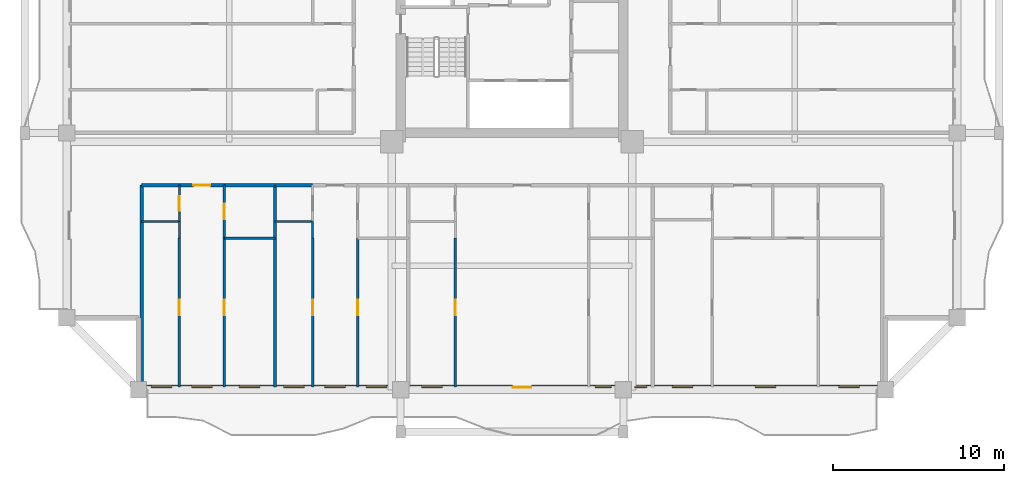
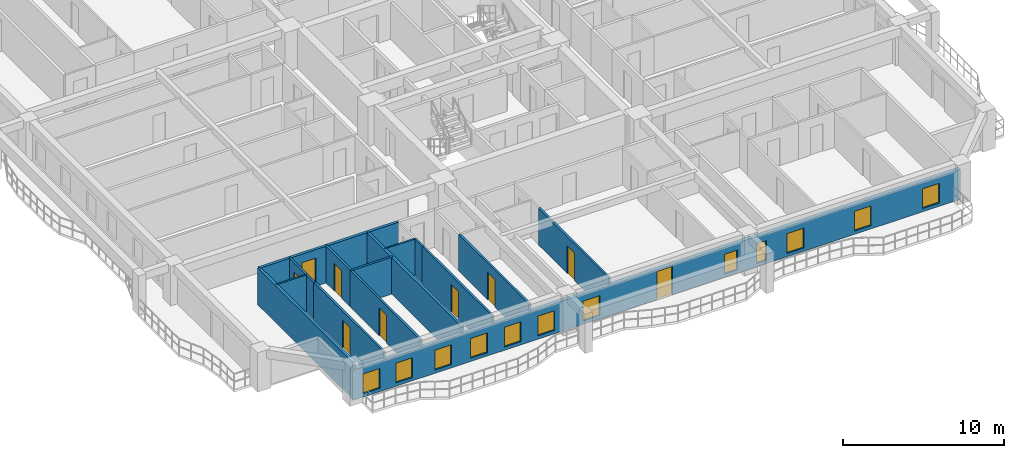
# One storey, part 2 of 13: 19 walls, 12 windows, 9 doors, 21 openings.
"""IFC4 building model written with IfcOpenShell, lengths in metres."""

from ifc_helpers import new_model, si_unit, direction, frame, frame_2d, origin, place, context, subcontext, project, spatial, rectangle, extrude, source, transform, mapped, material, layer, layer_set, type_object, element, fill, save


model = new_model("IFC4")

# Units and contexts
model_context = context("Model", 3, precision=1e-05, world=origin(), true_north=direction((0.0, 1.0)))
body_context = subcontext(model_context, "Body", "Model", "MODEL_VIEW")
ifc_project = project(units=[si_unit("LENGTHUNIT", "METRE"), si_unit("AREAUNIT", "SQUARE_METRE"), si_unit("VOLUMEUNIT", "CUBIC_METRE"), si_unit("PLANEANGLEUNIT", "RADIAN"), si_unit("MASSUNIT", "GRAM", prefix="KILO")], contexts=[model_context])

# Site, building, storey
site_placement = place(None, origin())
site = spatial("IfcSite", under=ifc_project, at=site_placement, CompositionType="ELEMENT")
building_placement = place(site_placement, origin())
building = spatial("IfcBuilding", under=site, at=building_placement, Name="Saelheon Loggia Tower", CompositionType="ELEMENT")
storey_placement = place(building_placement, frame((0.0, 0.0, 83.85009765625)))
storey = spatial("IfcBuildingStorey", under=building, at=storey_placement, Name="L26", CompositionType="ELEMENT", Elevation=83.85009765625)

# Wall, openings, windows, door
ifc_material_1 = material(Name="Architectural Precast Concrete C40/50", Category="concrete")
ifc_layer_1 = layer(ifc_material_1, 0.280029296875)
ifc_layer_set_1 = layer_set([ifc_layer_1], Name="Architectural Precast Concrete C40/50")
wall_type_1 = type_object("IfcWallType", Name="Wall_Ext_Loggia_280", PredefinedType="SOLIDWALL", material=ifc_layer_set_1)
wall_1_placement = place(storey_placement, frame((16.199951171875, 3.139892578125, 0.0), z_axis=(0.0, 0.0, 1.0), x_axis=(1.0, 0.0, 0.0)))
wall_1 = element("IfcWall", 1, at=wall_1_placement, inside=storey, type_object=wall_type_1, Name="L26 South Loggia Inner Wall", PredefinedType="SOLIDWALL", context=body_context, shape_type="SweptSolid", body=[
    extrude(rectangle(XDim=43.60009765625, YDim=0.280029296875, at=frame_2d((21.800048828125, 0.0))), origin(), (0.0, 0.0, 1.0), 2.27978515625),
])
opening_1_placement = place(wall_1_placement, frame((0.74755859375, 0.0, 0.25)))
opening_1 = element("IfcOpeningElement", 2, at=opening_1_placement, cuts=wall_1, Name="Opening WN-03", PredefinedType="OPENING", context=body_context, shape_type="SweptSolid", body=[
    extrude(rectangle(XDim=1.199951171875, YDim=1.5, at=frame_2d((0.60009765625, 0.75))), frame((0.0, 0.152099609375, 0.0), z_axis=(0.0, -1.0, 0.0), x_axis=(1.0, 0.0, 0.0)), (0.0, 0.0, 1.0), 0.303955078125),
])
opening_2_placement = place(wall_1_placement, frame((3.0927734375, 0.0, 0.25)))
opening_2 = element("IfcOpeningElement", 3, at=opening_2_placement, cuts=wall_1, Name="Opening WN-03", PredefinedType="OPENING", context=body_context, shape_type="SweptSolid", body=[
    extrude(rectangle(XDim=1.199951171875, YDim=1.5, at=frame_2d((0.60009765625, 0.75))), frame((0.0, 0.152099609375, 0.0), z_axis=(0.0, -1.0, 0.0), x_axis=(1.0, 0.0, 0.0)), (0.0, 0.0, 1.0), 0.303955078125),
])
opening_3_placement = place(wall_1_placement, frame((5.884521484375, 0.0, 0.25)))
opening_3 = element("IfcOpeningElement", 4, at=opening_3_placement, cuts=wall_1, Name="Opening WN-03", PredefinedType="OPENING", context=body_context, shape_type="SweptSolid", body=[
    extrude(rectangle(XDim=1.199951171875, YDim=1.5, at=frame_2d((0.60009765625, 0.75))), frame((0.0, 0.152099609375, 0.0), z_axis=(0.0, -1.0, 0.0), x_axis=(1.0, 0.0, 0.0)), (0.0, 0.0, 1.0), 0.303955078125),
])
opening_4_placement = place(wall_1_placement, frame((8.463134765625, 0.0, 0.25)))
opening_4 = element("IfcOpeningElement", 5, at=opening_4_placement, cuts=wall_1, Name="Opening WN-03", PredefinedType="OPENING", context=body_context, shape_type="SweptSolid", body=[
    extrude(rectangle(XDim=1.199951171875, YDim=1.5, at=frame_2d((0.60009765625, 0.75))), frame((0.0, 0.152099609375, 0.0), z_axis=(0.0, -1.0, 0.0), x_axis=(1.0, 0.0, 0.0)), (0.0, 0.0, 1.0), 0.303955078125),
])
opening_5_placement = place(wall_1_placement, frame((10.8759765625, 0.0, 0.25)))
opening_5 = element("IfcOpeningElement", 6, at=opening_5_placement, cuts=wall_1, Name="Opening WN-03", PredefinedType="OPENING", context=body_context, shape_type="SweptSolid", body=[
    extrude(rectangle(XDim=1.199951171875, YDim=1.5, at=frame_2d((0.60009765625, 0.75))), frame((0.0, 0.152099609375, 0.0), z_axis=(0.0, -1.0, 0.0), x_axis=(1.0, 0.0, 0.0)), (0.0, 0.0, 1.0), 0.303955078125),
])
opening_6_placement = place(wall_1_placement, frame((13.286865234375, 0.0, 0.25)))
opening_6 = element("IfcOpeningElement", 7, at=opening_6_placement, cuts=wall_1, Name="Opening WN-03", PredefinedType="OPENING", context=body_context, shape_type="SweptSolid", body=[
    extrude(rectangle(XDim=1.199951171875, YDim=1.5, at=frame_2d((0.60009765625, 0.75))), frame((0.0, 0.152099609375, 0.0), z_axis=(0.0, -1.0, 0.0), x_axis=(1.0, 0.0, 0.0)), (0.0, 0.0, 1.0), 0.303955078125),
])
opening_7_placement = place(wall_1_placement, frame((16.521484375, 0.0, 0.25)))
opening_7 = element("IfcOpeningElement", 8, at=opening_7_placement, cuts=wall_1, Name="Opening WN-03", PredefinedType="OPENING", context=body_context, shape_type="SweptSolid", body=[
    extrude(rectangle(XDim=1.199951171875, YDim=1.5, at=frame_2d((0.60009765625, 0.75))), frame((0.0, 0.152099609375, 0.0), z_axis=(0.0, -1.0, 0.0), x_axis=(1.0, 0.0, 0.0)), (0.0, 0.0, 1.0), 0.303955078125),
])
opening_8_placement = place(wall_1_placement, frame((22.938232421875, 0.0, 0.0), z_axis=(0.0, 0.0, 1.0), x_axis=(-1.0, 0.0, 0.0)))
opening_8 = element("IfcOpeningElement", 9, at=opening_8_placement, cuts=wall_1, Name="Opening TD1", PredefinedType="OPENING", context=body_context, shape_type="SweptSolid", body=[
    extrude(rectangle(XDim=1.10009765625, YDim=2.14990234375, at=frame_2d((0.550048828125, 1.074951171875))), frame((0.0, 0.152099609375, 0.0), z_axis=(0.0, -1.0, 0.0), x_axis=(1.0, 0.0, 0.0)), (0.0, 0.0, 1.0), 0.303955078125),
])
opening_9_placement = place(wall_1_placement, frame((26.657470703125, 0.0, 0.25)))
opening_9 = element("IfcOpeningElement", 10, at=opening_9_placement, cuts=wall_1, Name="Opening WN-04", PredefinedType="OPENING", context=body_context, shape_type="SweptSolid", body=[
    extrude(rectangle(XDim=0.949951171875, YDim=1.5, at=frame_2d((0.47509765625, 0.75))), frame((0.0, 0.152099609375, 0.0), z_axis=(0.0, -1.0, 0.0), x_axis=(1.0, 0.0, 0.0)), (0.0, 0.0, 1.0), 0.303955078125),
])
opening_10_placement = place(wall_1_placement, frame((28.96533203125, 0.0, 0.25)))
opening_10 = element("IfcOpeningElement", 11, at=opening_10_placement, cuts=wall_1, Name="Opening WN-06", PredefinedType="OPENING", context=body_context, shape_type="SweptSolid", body=[
    extrude(rectangle(XDim=0.699951171875, YDim=1.5, at=frame_2d((0.35009765625, 0.75))), frame((0.0, 0.152099609375, 0.0), z_axis=(0.0, -1.0, 0.0), x_axis=(1.0, 0.0, 0.0)), (0.0, 0.0, 1.0), 0.303955078125),
])
opening_11_placement = place(wall_1_placement, frame((31.158203125, 0.0, 0.25)))
opening_11 = element("IfcOpeningElement", 12, at=opening_11_placement, cuts=wall_1, Name="Opening WN-03", PredefinedType="OPENING", context=body_context, shape_type="SweptSolid", body=[
    extrude(rectangle(XDim=1.199951171875, YDim=1.5, at=frame_2d((0.60009765625, 0.75))), frame((0.0, 0.152099609375, 0.0), z_axis=(0.0, -1.0, 0.0), x_axis=(1.0, 0.0, 0.0)), (0.0, 0.0, 1.0), 0.303955078125),
])
opening_12_placement = place(wall_1_placement, frame((35.992431640625, 0.0, 0.25)))
opening_12 = element("IfcOpeningElement", 13, at=opening_12_placement, cuts=wall_1, Name="Opening WN-03", PredefinedType="OPENING", context=body_context, shape_type="SweptSolid", body=[
    extrude(rectangle(XDim=1.199951171875, YDim=1.5, at=frame_2d((0.60009765625, 0.75))), frame((0.0, 0.152099609375, 0.0), z_axis=(0.0, -1.0, 0.0), x_axis=(1.0, 0.0, 0.0)), (0.0, 0.0, 1.0), 0.303955078125),
])
opening_13_placement = place(wall_1_placement, frame((40.884765625, 0.0, 0.25)))
opening_13 = element("IfcOpeningElement", 14, at=opening_13_placement, cuts=wall_1, Name="Opening WN-03", PredefinedType="OPENING", context=body_context, shape_type="SweptSolid", body=[
    extrude(rectangle(XDim=1.199951171875, YDim=1.5, at=frame_2d((0.60009765625, 0.75))), frame((0.0, 0.152099609375, 0.0), z_axis=(0.0, -1.0, 0.0), x_axis=(1.0, 0.0, 0.0)), (0.0, 0.0, 1.0), 0.303955078125),
])
ifc_material_2 = material(Name="Thermal-Break Aluminium and Triple Low-E Glass", Category="aluminium")
window_type_1 = type_object("IfcWindowType", Name="Win_Slot_700x1500", PartitioningType="SINGLE_PANEL", PredefinedType="WINDOW", material=ifc_material_2)
shared_shape_1 = source(origin(), body_context, "Body", "SweptSolid", [
    extrude(rectangle(XDim=0.699951171875, YDim=1.5, at=frame_2d((0.35009765625, 0.75))), frame((0.0, 0.030029296875, 0.0), z_axis=(0.0, -1.0, 0.0), x_axis=(1.0, 0.0, 0.0)), (0.0, 0.0, 1.0), 0.06005859375),
])
window_1_placement = place(opening_10_placement, origin())
window_1 = element("IfcWindow", 15, at=window_1_placement, inside=storey, type_object=window_type_1, Name="L26 S Dwelling Window 10", OverallHeight=1.5, OverallWidth=0.699951171875, PartitioningType="SINGLE_PANEL", PredefinedType="WINDOW", context=body_context, shape_type="MappedRepresentation", body=[
    mapped(shared_shape_1, transform((0.0, 0.0, 0.0), scale=1.0)),
])
fill(opening_10, window_1)
window_type_2 = type_object("IfcWindowType", Name="Win_Bedroom_1200x1500", PartitioningType="SINGLE_PANEL", PredefinedType="WINDOW", material=ifc_material_2)
shared_shape_2 = source(origin(), body_context, "Body", "SweptSolid", [
    extrude(rectangle(XDim=1.199951171875, YDim=1.5, at=frame_2d((0.60009765625, 0.75))), frame((0.0, 0.030029296875, 0.0), z_axis=(0.0, -1.0, 0.0), x_axis=(1.0, 0.0, 0.0)), (0.0, 0.0, 1.0), 0.06005859375),
])
window_2_placement = place(opening_1_placement, origin())
window_2 = element("IfcWindow", 16, at=window_2_placement, inside=storey, type_object=window_type_2, Name="L26 S Dwelling Window 1", OverallHeight=1.5, OverallWidth=1.199951171875, PartitioningType="SINGLE_PANEL", PredefinedType="WINDOW", context=body_context, shape_type="MappedRepresentation", body=[
    mapped(shared_shape_2, transform((0.0, 0.0, 0.0), scale=1.0)),
])
fill(opening_1, window_2)
window_3_placement = place(opening_2_placement, origin())
window_3 = element("IfcWindow", 17, at=window_3_placement, inside=storey, type_object=window_type_2, Name="L26 S Dwelling Window 2", OverallHeight=1.5, OverallWidth=1.199951171875, PartitioningType="SINGLE_PANEL", PredefinedType="WINDOW", context=body_context, shape_type="MappedRepresentation", body=[
    mapped(shared_shape_2, transform((0.0, 0.0, 0.0), scale=1.0)),
])
fill(opening_2, window_3)
window_4_placement = place(opening_3_placement, origin())
window_4 = element("IfcWindow", 18, at=window_4_placement, inside=storey, type_object=window_type_2, Name="L26 S Dwelling Window 3", OverallHeight=1.5, OverallWidth=1.199951171875, PartitioningType="SINGLE_PANEL", PredefinedType="WINDOW", context=body_context, shape_type="MappedRepresentation", body=[
    mapped(shared_shape_2, transform((0.0, 0.0, 0.0), scale=1.0)),
])
fill(opening_3, window_4)
window_5_placement = place(opening_4_placement, origin())
window_5 = element("IfcWindow", 19, at=window_5_placement, inside=storey, type_object=window_type_2, Name="L26 S Dwelling Window 4", OverallHeight=1.5, OverallWidth=1.199951171875, PartitioningType="SINGLE_PANEL", PredefinedType="WINDOW", context=body_context, shape_type="MappedRepresentation", body=[
    mapped(shared_shape_2, transform((0.0, 0.0, 0.0), scale=1.0)),
])
fill(opening_4, window_5)
window_6_placement = place(opening_5_placement, origin())
window_6 = element("IfcWindow", 20, at=window_6_placement, inside=storey, type_object=window_type_2, Name="L26 S Dwelling Window 5", OverallHeight=1.5, OverallWidth=1.199951171875, PartitioningType="SINGLE_PANEL", PredefinedType="WINDOW", context=body_context, shape_type="MappedRepresentation", body=[
    mapped(shared_shape_2, transform((0.0, 0.0, 0.0), scale=1.0)),
])
fill(opening_5, window_6)
window_7_placement = place(opening_6_placement, origin())
window_7 = element("IfcWindow", 21, at=window_7_placement, inside=storey, type_object=window_type_2, Name="L26 S Dwelling Window 6", OverallHeight=1.5, OverallWidth=1.199951171875, PartitioningType="SINGLE_PANEL", PredefinedType="WINDOW", context=body_context, shape_type="MappedRepresentation", body=[
    mapped(shared_shape_2, transform((0.0, 0.0, 0.0), scale=1.0)),
])
fill(opening_6, window_7)
window_8_placement = place(opening_7_placement, origin())
window_8 = element("IfcWindow", 22, at=window_8_placement, inside=storey, type_object=window_type_2, Name="L26 S Dwelling Window 7", OverallHeight=1.5, OverallWidth=1.199951171875, PartitioningType="SINGLE_PANEL", PredefinedType="WINDOW", context=body_context, shape_type="MappedRepresentation", body=[
    mapped(shared_shape_2, transform((0.0, 0.0, 0.0), scale=1.0)),
])
fill(opening_7, window_8)
window_9_placement = place(opening_11_placement, origin())
window_9 = element("IfcWindow", 23, at=window_9_placement, inside=storey, type_object=window_type_2, Name="L26 S Dwelling Window 11", OverallHeight=1.5, OverallWidth=1.199951171875, PartitioningType="SINGLE_PANEL", PredefinedType="WINDOW", context=body_context, shape_type="MappedRepresentation", body=[
    mapped(shared_shape_2, transform((0.0, 0.0, 0.0), scale=1.0)),
])
fill(opening_11, window_9)
window_10_placement = place(opening_12_placement, origin())
window_10 = element("IfcWindow", 24, at=window_10_placement, inside=storey, type_object=window_type_2, Name="L26 S Dwelling Window 12", OverallHeight=1.5, OverallWidth=1.199951171875, PartitioningType="SINGLE_PANEL", PredefinedType="WINDOW", context=body_context, shape_type="MappedRepresentation", body=[
    mapped(shared_shape_2, transform((0.0, 0.0, 0.0), scale=1.0)),
])
fill(opening_12, window_10)
window_11_placement = place(opening_13_placement, origin())
window_11 = element("IfcWindow", 25, at=window_11_placement, inside=storey, type_object=window_type_2, Name="L26 S Dwelling Window 13", OverallHeight=1.5, OverallWidth=1.199951171875, PartitioningType="SINGLE_PANEL", PredefinedType="WINDOW", context=body_context, shape_type="MappedRepresentation", body=[
    mapped(shared_shape_2, transform((0.0, 0.0, 0.0), scale=1.0)),
])
fill(opening_13, window_11)
ifc_material_3 = material(Name="Thermal-Break Aluminium Glazed Door", Category="aluminium")
door_type_1 = type_object("IfcDoorType", Name="Door_Terrace_TD1", OperationType="NOTDEFINED", PredefinedType="DOOR", material=ifc_material_3)
shared_shape_3 = source(origin(), body_context, "Body", "SweptSolid", [
    extrude(rectangle(XDim=1.10009765625, YDim=2.14990234375, at=frame_2d((0.550048828125, 1.074951171875))), frame((0.0, 0.02490234375, 0.0), z_axis=(0.0, -1.0, 0.0), x_axis=(1.0, 0.0, 0.0)), (0.0, 0.0, 1.0), 0.050048828125),
])
door_1_placement = place(opening_8_placement, origin())
door_1 = element("IfcDoor", 26, at=door_1_placement, inside=storey, type_object=door_type_1, Name="L26 S Loggia Access Door", OperationType="SINGLE_SWING_RIGHT", OverallHeight=2.14990234375, OverallWidth=1.10009765625, PredefinedType="DOOR", context=body_context, shape_type="MappedRepresentation", body=[
    mapped(shared_shape_3, transform((0.0, 0.0, 0.0), scale=1.0)),
])
fill(opening_8, door_1)
window_type_3 = type_object("IfcWindowType", Name="Win_Narrow_950x1500", PartitioningType="SINGLE_PANEL", PredefinedType="WINDOW", material=ifc_material_2)
shared_shape_4 = source(origin(), body_context, "Body", "SweptSolid", [
    extrude(rectangle(XDim=0.949951171875, YDim=1.5, at=frame_2d((0.47509765625, 0.75))), frame((0.0, 0.030029296875, 0.0), z_axis=(0.0, -1.0, 0.0), x_axis=(1.0, 0.0, 0.0)), (0.0, 0.0, 1.0), 0.06005859375),
])
window_12_placement = place(opening_9_placement, origin())
window_12 = element("IfcWindow", 27, at=window_12_placement, inside=storey, type_object=window_type_3, Name="L26 S Dwelling Window 9", OverallHeight=1.5, OverallWidth=0.949951171875, PartitioningType="SINGLE_PANEL", PredefinedType="WINDOW", context=body_context, shape_type="MappedRepresentation", body=[
    mapped(shared_shape_4, transform((0.0, 0.0, 0.0), scale=1.0)),
])
fill(opening_9, window_12)

# Wall
ifc_material_4 = material(Name="Lightweight Autoclaved Aerated Concrete Block and Acoustic Gypsum", Category="concrete")
ifc_layer_2 = layer(ifc_material_4, 0.14990234375)
ifc_layer_set_2 = layer_set([ifc_layer_2], Name="Lightweight Autoclaved Aerated Concrete Block and Acoustic Gypsum")
wall_type_2 = type_object("IfcWallType", Name="Wall_Part_150", PredefinedType="PARTITIONING", material=ifc_layer_set_2)
wall_2_placement = place(storey_placement, frame((21.20556640625, 11.85009765625, 0.0), z_axis=(0.0, 0.0, 1.0), x_axis=(1.0, 0.0, 0.0)))
element("IfcWall", 28, at=wall_2_placement, inside=storey, type_object=wall_type_2, Name="L26 S Partition V07", PredefinedType="PARTITIONING", context=body_context, shape_type="SweptSolid", body=[
    extrude(rectangle(XDim=2.95751953125, YDim=0.14990234375, at=frame_2d((1.478759765625, 0.0))), origin(), (0.0, 0.0, 1.0), 2.789794921875),
])

# Wall, opening, door
wall_3_placement = place(storey_placement, frame((18.580078125, 11.85009765625, 0.0), z_axis=(0.0, 0.0, 1.0), x_axis=(0.0, -1.0, 0.0)))
wall_3 = element("IfcWall", 29, at=wall_3_placement, inside=storey, type_object=wall_type_2, Name="L26 S Partition U10", PredefinedType="PARTITIONING", context=body_context, shape_type="SweptSolid", body=[
    extrude(rectangle(XDim=8.7001953125, YDim=0.14990234375, at=frame_2d((4.35009765625, 0.0))), origin(), (0.0, 0.0, 1.0), 2.789794921875),
])
opening_14_placement = place(wall_3_placement, frame((3.594970703125, 0.0, 0.0)))
opening_14 = element("IfcOpeningElement", 30, at=opening_14_placement, cuts=wall_3, Name="Opening D-IN2", PredefinedType="OPENING", context=body_context, shape_type="SweptSolid", body=[
    extrude(rectangle(XDim=0.89990234375, YDim=2.10009765625, at=frame_2d((0.449951171875, 1.050048828125))), frame((0.0, 0.0869140625, 0.0), z_axis=(0.0, -1.0, 0.0), x_axis=(1.0, 0.0, 0.0)), (0.0, 0.0, 1.0), 0.173828125),
])
ifc_material_5 = material(Name="Engineered Oak Flush Door", Category="timber")
door_type_2 = type_object("IfcDoorType", Name="Door_Int_900", OperationType="NOTDEFINED", PredefinedType="DOOR", material=ifc_material_5)
shared_shape_5 = source(origin(), body_context, "Body", "SweptSolid", [
    extrude(rectangle(XDim=0.89990234375, YDim=2.10009765625, at=frame_2d((0.449951171875, 1.050048828125))), frame((0.0, 0.02490234375, 0.0), z_axis=(0.0, -1.0, 0.0), x_axis=(1.0, 0.0, 0.0)), (0.0, 0.0, 1.0), 0.050048828125),
])
door_2_placement = place(opening_14_placement, origin())
door_2 = element("IfcDoor", 31, at=door_2_placement, inside=storey, type_object=door_type_2, Name="Unit U01 Kitchen Door", OperationType="SINGLE_SWING_RIGHT", OverallHeight=2.10009765625, OverallWidth=0.89990234375, PredefinedType="DOOR", context=body_context, shape_type="MappedRepresentation", body=[
    mapped(shared_shape_5, transform((0.0, 0.0, 0.0), scale=1.0)),
])
fill(opening_14, door_2)

wall_4_placement = place(storey_placement, frame((21.20556640625, 14.949951171875, 0.0), z_axis=(0.0, 0.0, 1.0), x_axis=(0.0, -1.0, 0.0)))
wall_4 = element("IfcWall", 32, at=wall_4_placement, inside=storey, type_object=wall_type_2, Name="L26 S Partition U11", PredefinedType="PARTITIONING", context=body_context, shape_type="SweptSolid", body=[
    extrude(rectangle(XDim=3.099853515625, YDim=0.14990234375, at=frame_2d((1.5498046875, 0.0))), origin(), (0.0, 0.0, 1.0), 2.789794921875),
])
opening_15_placement = place(wall_4_placement, frame((1.10009765625, 0.0, 0.0)))
opening_15 = element("IfcOpeningElement", 33, at=opening_15_placement, cuts=wall_4, Name="Opening D-IN2", PredefinedType="OPENING", context=body_context, shape_type="SweptSolid", body=[
    extrude(rectangle(XDim=0.89990234375, YDim=2.10009765625, at=frame_2d((0.449951171875, 1.050048828125))), frame((0.0, 0.0869140625, 0.0), z_axis=(0.0, -1.0, 0.0), x_axis=(1.0, 0.0, 0.0)), (0.0, 0.0, 1.0), 0.173828125),
])
door_3_placement = place(opening_15_placement, origin())
door_3 = element("IfcDoor", 34, at=door_3_placement, inside=storey, type_object=door_type_2, Name="Unit U01 Dressing Closet Door", OperationType="SINGLE_SWING_LEFT", OverallHeight=2.10009765625, OverallWidth=0.89990234375, PredefinedType="DOOR", context=body_context, shape_type="MappedRepresentation", body=[
    mapped(shared_shape_5, transform((0.0, 0.0, 0.0), scale=1.0)),
])
fill(opening_15, door_3)

wall_5_placement = place(storey_placement, frame((21.20556640625, 11.85009765625, 0.0), z_axis=(0.0, 0.0, 1.0), x_axis=(0.0, -1.0, 0.0)))
wall_5 = element("IfcWall", 35, at=wall_5_placement, inside=storey, type_object=wall_type_2, Name="L26 S Partition U12", PredefinedType="PARTITIONING", context=body_context, shape_type="SweptSolid", body=[
    extrude(rectangle(XDim=8.7001953125, YDim=0.14990234375, at=frame_2d((4.35009765625, 0.0))), origin(), (0.0, 0.0, 1.0), 2.789794921875),
])
opening_16_placement = place(wall_5_placement, frame((3.594970703125, 0.0, 0.0)))
opening_16 = element("IfcOpeningElement", 36, at=opening_16_placement, cuts=wall_5, Name="Opening D-IN2", PredefinedType="OPENING", context=body_context, shape_type="SweptSolid", body=[
    extrude(rectangle(XDim=0.89990234375, YDim=2.10009765625, at=frame_2d((0.449951171875, 1.050048828125))), frame((0.0, 0.0869140625, 0.0), z_axis=(0.0, -1.0, 0.0), x_axis=(1.0, 0.0, 0.0)), (0.0, 0.0, 1.0), 0.173828125),
])
door_4_placement = place(opening_16_placement, origin())
door_4 = element("IfcDoor", 37, at=door_4_placement, inside=storey, type_object=door_type_2, Name="Unit U01 Bedroom 1 Door", OperationType="SINGLE_SWING_RIGHT", OverallHeight=2.10009765625, OverallWidth=0.89990234375, PredefinedType="DOOR", context=body_context, shape_type="MappedRepresentation", body=[
    mapped(shared_shape_5, transform((0.0, 0.0, 0.0), scale=1.0)),
])
fill(opening_16, door_4)

wall_6_placement = place(storey_placement, frame((26.36328125, 11.85009765625, 0.0), z_axis=(0.0, 0.0, 1.0), x_axis=(0.0, -1.0, 0.0)))
wall_6 = element("IfcWall", 38, at=wall_6_placement, inside=storey, type_object=wall_type_2, Name="L26 S Partition U21", PredefinedType="PARTITIONING", context=body_context, shape_type="SweptSolid", body=[
    extrude(rectangle(XDim=8.7001953125, YDim=0.14990234375, at=frame_2d((4.35009765625, 0.0))), origin(), (0.0, 0.0, 1.0), 2.789794921875),
])
opening_17_placement = place(wall_6_placement, frame((3.594970703125, 0.0, 0.0)))
opening_17 = element("IfcOpeningElement", 39, at=opening_17_placement, cuts=wall_6, Name="Opening D-IN2", PredefinedType="OPENING", context=body_context, shape_type="SweptSolid", body=[
    extrude(rectangle(XDim=0.89990234375, YDim=2.10009765625, at=frame_2d((0.449951171875, 1.050048828125))), frame((0.0, 0.0869140625, 0.0), z_axis=(0.0, -1.0, 0.0), x_axis=(1.0, 0.0, 0.0)), (0.0, 0.0, 1.0), 0.173828125),
])
door_5_placement = place(opening_17_placement, origin())
door_5 = element("IfcDoor", 40, at=door_5_placement, inside=storey, type_object=door_type_2, Name="Unit U02 Kitchen Door", OperationType="SINGLE_SWING_LEFT", OverallHeight=2.10009765625, OverallWidth=0.89990234375, PredefinedType="DOOR", context=body_context, shape_type="MappedRepresentation", body=[
    mapped(shared_shape_5, transform((0.0, 0.0, 0.0), scale=1.0)),
])
fill(opening_17, door_5)

wall_7_placement = place(storey_placement, frame((28.98876953125, 11.85009765625, 0.0), z_axis=(0.0, 0.0, 1.0), x_axis=(0.0, -1.0, 0.0)))
wall_7 = element("IfcWall", 41, at=wall_7_placement, inside=storey, type_object=wall_type_2, Name="L26 S Partition U23", PredefinedType="PARTITIONING", context=body_context, shape_type="SweptSolid", body=[
    extrude(rectangle(XDim=8.7001953125, YDim=0.14990234375, at=frame_2d((4.35009765625, 0.0))), origin(), (0.0, 0.0, 1.0), 2.789794921875),
])
opening_18_placement = place(wall_7_placement, frame((3.594970703125, 0.0, 0.0)))
opening_18 = element("IfcOpeningElement", 42, at=opening_18_placement, cuts=wall_7, Name="Opening D-IN2", PredefinedType="OPENING", context=body_context, shape_type="SweptSolid", body=[
    extrude(rectangle(XDim=0.89990234375, YDim=2.10009765625, at=frame_2d((0.449951171875, 1.050048828125))), frame((0.0, 0.0869140625, 0.0), z_axis=(0.0, -1.0, 0.0), x_axis=(1.0, 0.0, 0.0)), (0.0, 0.0, 1.0), 0.173828125),
])
door_6_placement = place(opening_18_placement, origin())
door_6 = element("IfcDoor", 43, at=door_6_placement, inside=storey, type_object=door_type_2, Name="Unit U02 Bedroom 1 Door", OperationType="SINGLE_SWING_LEFT", OverallHeight=2.10009765625, OverallWidth=0.89990234375, PredefinedType="DOOR", context=body_context, shape_type="MappedRepresentation", body=[
    mapped(shared_shape_5, transform((0.0, 0.0, 0.0), scale=1.0)),
])
fill(opening_18, door_6)

wall_8_placement = place(storey_placement, frame((34.6962890625, 11.85009765625, 0.0), z_axis=(0.0, 0.0, 1.0), x_axis=(0.0, -1.0, 0.0)))
wall_8 = element("IfcWall", 44, at=wall_8_placement, inside=storey, type_object=wall_type_2, Name="L26 S Partition U32", PredefinedType="PARTITIONING", context=body_context, shape_type="SweptSolid", body=[
    extrude(rectangle(XDim=8.7001953125, YDim=0.14990234375, at=frame_2d((4.35009765625, 0.0))), origin(), (0.0, 0.0, 1.0), 2.789794921875),
])
opening_19_placement = place(wall_8_placement, frame((3.594970703125, 0.0, 0.0)))
opening_19 = element("IfcOpeningElement", 45, at=opening_19_placement, cuts=wall_8, Name="Opening D-IN2", PredefinedType="OPENING", context=body_context, shape_type="SweptSolid", body=[
    extrude(rectangle(XDim=0.89990234375, YDim=2.10009765625, at=frame_2d((0.449951171875, 1.050048828125))), frame((0.0, 0.0869140625, 0.0), z_axis=(0.0, -1.0, 0.0), x_axis=(1.0, 0.0, 0.0)), (0.0, 0.0, 1.0), 0.173828125),
])
door_7_placement = place(opening_19_placement, origin())
door_7 = element("IfcDoor", 46, at=door_7_placement, inside=storey, type_object=door_type_2, Name="Unit U03 Kitchen Door", OperationType="SINGLE_SWING_RIGHT", OverallHeight=2.10009765625, OverallWidth=0.89990234375, PredefinedType="DOOR", context=body_context, shape_type="MappedRepresentation", body=[
    mapped(shared_shape_5, transform((0.0, 0.0, 0.0), scale=1.0)),
])
fill(opening_19, door_7)

# Walls
ifc_material_6 = material(Name="Double Acoustic Stud and Fireboard Partition", Category="gypsum")
ifc_layer_3 = layer(ifc_material_6, 0.199951171875)
ifc_layer_set_3 = layer_set([ifc_layer_3], Name="Double Acoustic Stud and Fireboard Partition")
wall_type_3 = type_object("IfcWallType", Name="Wall_Party_200", PredefinedType="PARTITIONING", material=ifc_layer_set_3)
wall_9_placement = place(storey_placement, frame((16.3798828125, 14.949951171875, 0.0), z_axis=(0.0, 0.0, 1.0), x_axis=(0.0, -1.0, 0.0)))
element("IfcWall", 47, at=wall_9_placement, inside=storey, type_object=wall_type_3, Name="L26 S Partition U01", PredefinedType="PARTITIONING", context=body_context, shape_type="SweptSolid", body=[
    extrude(rectangle(XDim=11.800048828125, YDim=0.199951171875, at=frame_2d((5.89990234375, 0.0))), origin(), (0.0, 0.0, 1.0), 2.789794921875),
])
wall_10_placement = place(storey_placement, frame((16.3798828125, 14.949951171875, 0.0), z_axis=(0.0, 0.0, 1.0), x_axis=(1.0, 0.0, 0.0)))
element("IfcWall", 48, at=wall_10_placement, inside=storey, type_object=wall_type_3, Name="L26 S Partition V03", PredefinedType="PARTITIONING", context=body_context, shape_type="SweptSolid", body=[
    extrude(rectangle(XDim=2.2001953125, YDim=0.199951171875, at=frame_2d((1.10009765625, 0.0))), origin(), (0.0, 0.0, 1.0), 2.789794921875),
])

# Wall, opening, door
wall_11_placement = place(storey_placement, frame((18.580078125, 14.949951171875, 0.0), z_axis=(0.0, 0.0, 1.0), x_axis=(1.0, 0.0, 0.0)))
wall_11 = element("IfcWall", 49, at=wall_11_placement, inside=storey, type_object=wall_type_3, Name="L26 S Partition V04", PredefinedType="PARTITIONING", context=body_context, shape_type="SweptSolid", body=[
    extrude(rectangle(XDim=2.62548828125, YDim=0.199951171875, at=frame_2d((1.312744140625, 0.0))), origin(), (0.0, 0.0, 1.0), 2.789794921875),
])
opening_20_placement = place(wall_11_placement, frame((0.812744140625, 0.0, 0.0)))
opening_20 = element("IfcOpeningElement", 50, at=opening_20_placement, cuts=wall_11, Name="Opening D-FD1", PredefinedType="OPENING", context=body_context, shape_type="SweptSolid", body=[
    extrude(rectangle(XDim=1.0, YDim=2.14990234375, at=frame_2d((0.5, 1.074951171875))), frame((0.0, 0.112060546875, 0.0), z_axis=(0.0, -1.0, 0.0), x_axis=(1.0, 0.0, 0.0)), (0.0, 0.0, 1.0), 0.223876953125),
])
ifc_material_7 = material(Name="Fire-Rated Engineered Timber Entrance Door", Category="wood")
door_type_3 = type_object("IfcDoorType", Name="Door_Flat_FD30S", OperationType="NOTDEFINED", PredefinedType="DOOR", material=ifc_material_7)
shared_shape_6 = source(origin(), body_context, "Body", "SweptSolid", [
    extrude(rectangle(XDim=1.0, YDim=2.14990234375, at=frame_2d((0.5, 1.074951171875))), frame((0.0, 0.02490234375, 0.0), z_axis=(0.0, -1.0, 0.0), x_axis=(1.0, 0.0, 0.0)), (0.0, 0.0, 1.0), 0.050048828125),
])
door_8_placement = place(opening_20_placement, origin())
door_8 = element("IfcDoor", 51, at=door_8_placement, inside=storey, type_object=door_type_3, Name="Unit U01 Entrance Door", OperationType="SINGLE_SWING_RIGHT", OverallHeight=2.14990234375, OverallWidth=1.0, PredefinedType="DOOR", context=body_context, shape_type="MappedRepresentation", body=[
    mapped(shared_shape_6, transform((0.0, 0.0, 0.0), scale=1.0)),
])
fill(opening_20, door_8)

# Walls
wall_12_placement = place(storey_placement, frame((21.20556640625, 14.949951171875, 0.0), z_axis=(0.0, 0.0, 1.0), x_axis=(1.0, 0.0, 0.0)))
element("IfcWall", 52, at=wall_12_placement, inside=storey, type_object=wall_type_3, Name="L26 S Partition V05", PredefinedType="PARTITIONING", context=body_context, shape_type="SweptSolid", body=[
    extrude(rectangle(XDim=2.95751953125, YDim=0.199951171875, at=frame_2d((1.478759765625, 0.0))), origin(), (0.0, 0.0, 1.0), 2.789794921875),
])
wall_13_placement = place(storey_placement, frame((24.1630859375, 14.949951171875, 0.0), z_axis=(0.0, 0.0, 1.0), x_axis=(0.0, -1.0, 0.0)))
element("IfcWall", 53, at=wall_13_placement, inside=storey, type_object=wall_type_3, Name="L26 S Partition U13", PredefinedType="PARTITIONING", context=body_context, shape_type="SweptSolid", body=[
    extrude(rectangle(XDim=11.800048828125, YDim=0.199951171875, at=frame_2d((5.89990234375, 0.0))), origin(), (0.0, 0.0, 1.0), 2.789794921875),
])
wall_14_placement = place(storey_placement, frame((24.1630859375, 14.949951171875, 0.0), z_axis=(0.0, 0.0, 1.0), x_axis=(1.0, 0.0, 0.0)))
element("IfcWall", 54, at=wall_14_placement, inside=storey, type_object=wall_type_3, Name="L26 S Partition V14", PredefinedType="PARTITIONING", context=body_context, shape_type="SweptSolid", body=[
    extrude(rectangle(XDim=2.2001953125, YDim=0.199951171875, at=frame_2d((1.10009765625, 0.0))), origin(), (0.0, 0.0, 1.0), 2.789794921875),
])
ifc_material_8 = material(Name="Moisture-Resistant Cement Board Partition", Category="gypsum")
ifc_layer_4 = layer(ifc_material_8, 0.1201171875)
ifc_layer_set_4 = layer_set([ifc_layer_4], Name="Moisture-Resistant Cement Board Partition")
wall_type_4 = type_object("IfcWallType", Name="Wall_WetPart_120", PredefinedType="PARTITIONING", material=ifc_layer_set_4)
wall_15_placement = place(storey_placement, frame((16.3798828125, 12.830078125, 0.0), z_axis=(0.0, 0.0, 1.0), x_axis=(1.0, 0.0, 0.0)))
element("IfcWall", 55, at=wall_15_placement, inside=storey, type_object=wall_type_4, Name="L26 S Partition V06", PredefinedType="PARTITIONING", context=body_context, shape_type="SweptSolid", body=[
    extrude(rectangle(XDim=2.2001953125, YDim=0.1201171875, at=frame_2d((1.10009765625, 0.0))), origin(), (0.0, 0.0, 1.0), 2.789794921875),
])

# Wall, opening, door
wall_16_placement = place(storey_placement, frame((18.580078125, 14.949951171875, 0.0), z_axis=(0.0, 0.0, 1.0), x_axis=(0.0, -1.0, 0.0)))
wall_16 = element("IfcWall", 56, at=wall_16_placement, inside=storey, type_object=wall_type_4, Name="L26 S Partition U08", PredefinedType="PARTITIONING", context=body_context, shape_type="SweptSolid", body=[
    extrude(rectangle(XDim=2.119873046875, YDim=0.1201171875, at=frame_2d((1.06005859375, 0.0))), origin(), (0.0, 0.0, 1.0), 2.789794921875),
])
opening_21_placement = place(wall_16_placement, frame((0.635009765625, 0.0, 0.0)))
opening_21 = element("IfcOpeningElement", 57, at=opening_21_placement, cuts=wall_16, Name="Opening D-BT1", PredefinedType="OPENING", context=body_context, shape_type="SweptSolid", body=[
    extrude(rectangle(XDim=0.85009765625, YDim=2.050048828125, at=frame_2d((0.425048828125, 1.02490234375))), frame((0.0, 0.072021484375, 0.0), z_axis=(0.0, -1.0, 0.0), x_axis=(1.0, 0.0, 0.0)), (0.0, 0.0, 1.0), 0.14404296875),
])
ifc_material_9 = material(Name="Moisture-Resistant Laminate Timber Door", Category="wood")
door_type_4 = type_object("IfcDoorType", Name="Door_Bath_850", OperationType="NOTDEFINED", PredefinedType="DOOR", material=ifc_material_9)
shared_shape_7 = source(origin(), body_context, "Body", "SweptSolid", [
    extrude(rectangle(XDim=0.85009765625, YDim=2.050048828125, at=frame_2d((0.425048828125, 1.02490234375))), frame((0.0, 0.02490234375, 0.0), z_axis=(0.0, -1.0, 0.0), x_axis=(1.0, 0.0, 0.0)), (0.0, 0.0, 1.0), 0.050048828125),
])
door_9_placement = place(opening_21_placement, origin())
door_9 = element("IfcDoor", 58, at=door_9_placement, inside=storey, type_object=door_type_4, Name="Unit U01 Bathroom Door", OperationType="SINGLE_SWING_LEFT", OverallHeight=2.050048828125, OverallWidth=0.85009765625, PredefinedType="DOOR", context=body_context, shape_type="MappedRepresentation", body=[
    mapped(shared_shape_7, transform((0.0, 0.0, 0.0), scale=1.0)),
])
fill(opening_21, door_9)

# Walls
wall_17_placement = place(storey_placement, frame((18.580078125, 12.830078125, 0.0), z_axis=(0.0, 0.0, 1.0), x_axis=(0.0, -1.0, 0.0)))
element("IfcWall", 59, at=wall_17_placement, inside=storey, type_object=wall_type_4, Name="L26 S Partition U09", PredefinedType="PARTITIONING", context=body_context, shape_type="SweptSolid", body=[
    extrude(rectangle(XDim=0.97998046875, YDim=0.1201171875, at=frame_2d((0.489990234375, 0.0))), origin(), (0.0, 0.0, 1.0), 2.789794921875),
])
wall_18_placement = place(storey_placement, frame((24.1630859375, 12.830078125, 0.0), z_axis=(0.0, 0.0, 1.0), x_axis=(1.0, 0.0, 0.0)))
element("IfcWall", 60, at=wall_18_placement, inside=storey, type_object=wall_type_4, Name="L26 S Partition V17", PredefinedType="PARTITIONING", context=body_context, shape_type="SweptSolid", body=[
    extrude(rectangle(XDim=2.2001953125, YDim=0.1201171875, at=frame_2d((1.10009765625, 0.0))), origin(), (0.0, 0.0, 1.0), 2.789794921875),
])
wall_19_placement = place(storey_placement, frame((26.36328125, 12.830078125, 0.0), z_axis=(0.0, 0.0, 1.0), x_axis=(0.0, -1.0, 0.0)))
element("IfcWall", 61, at=wall_19_placement, inside=storey, type_object=wall_type_4, Name="L26 S Partition U20", PredefinedType="PARTITIONING", context=body_context, shape_type="SweptSolid", body=[
    extrude(rectangle(XDim=0.97998046875, YDim=0.1201171875, at=frame_2d((0.489990234375, 0.0))), origin(), (0.0, 0.0, 1.0), 2.789794921875),
])

save(model, "model.ifc")
